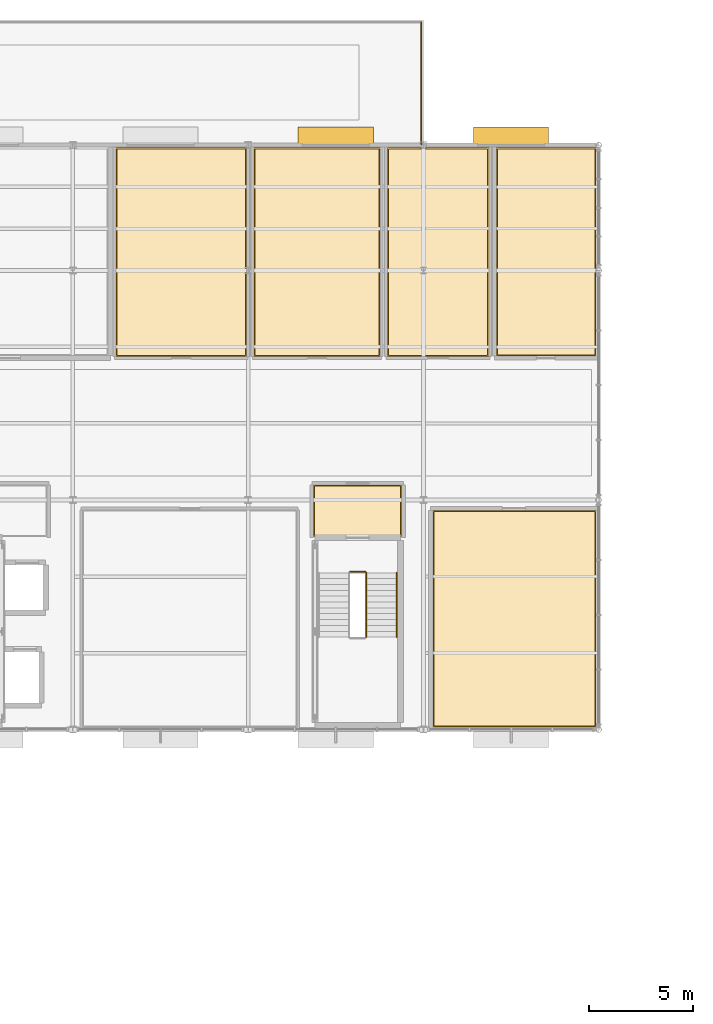
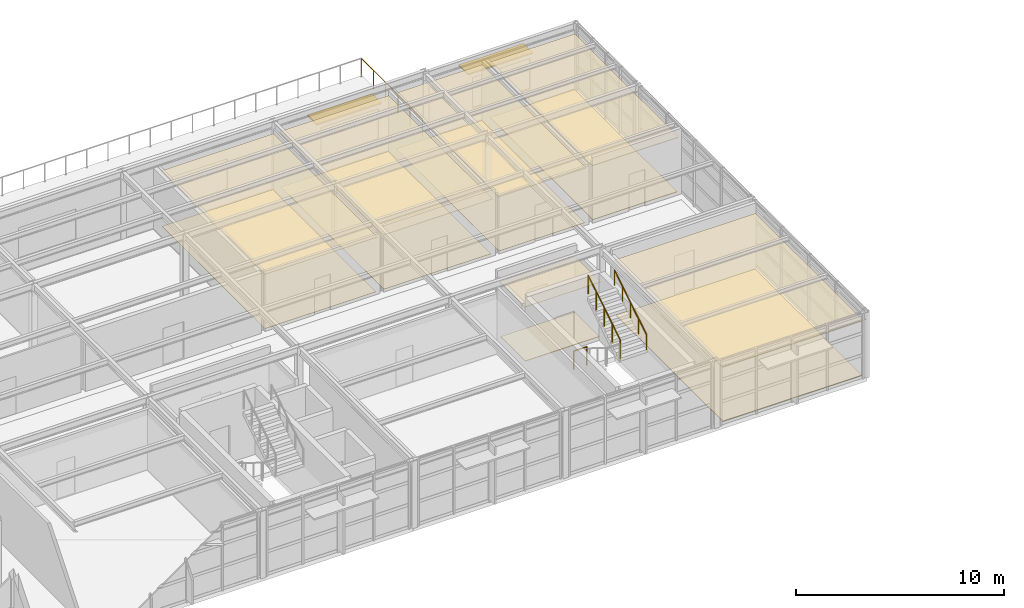
# One storey, part 21 of 21: 12 coverings, 4 railings, 2 shading devices.
"""IFC4 building model written with IfcOpenShell, lengths in metres."""

from ifc_helpers import new_model, si_unit, direction, frame, origin, origin_2d, place, context, subcontext, project, spatial, polyline, rectangle, circle, outline, extrude, material, layer, layer_set, type_object, element, save


model = new_model("IFC4")

# Units and contexts
model_context = context("Model", 3, precision=1e-05, world=origin(), true_north=direction((0.0, 1.0)))
body_context = subcontext(model_context, "Body", "Model", "MODEL_VIEW")
ifc_project = project(units=[si_unit("LENGTHUNIT", "METRE"), si_unit("AREAUNIT", "SQUARE_METRE"), si_unit("VOLUMEUNIT", "CUBIC_METRE"), si_unit("PLANEANGLEUNIT", "RADIAN"), si_unit("MASSUNIT", "GRAM", prefix="KILO")], contexts=[model_context])

# Site, building, storey
site_placement = place(None, origin())
site = spatial("IfcSite", under=ifc_project, at=site_placement, CompositionType="ELEMENT")
building_placement = place(site_placement, origin())
building = spatial("IfcBuilding", under=site, at=building_placement, Name="Sitalva Quay Ferry Terminal", CompositionType="ELEMENT")
storey_placement = place(building_placement, frame((0.0, 0.0, 14.39990234375)))
storey = spatial("IfcBuildingStorey", under=building, at=storey_placement, Name="L04", CompositionType="ELEMENT", Elevation=14.39990234375)

# Coverings
ifc_material_1 = material(Name="Perforated Marine Aluminium Acoustic Ceiling", Category="aluminium")
ifc_layer_1 = layer(ifc_material_1, 0.0400390625)
ifc_layer_set_1 = layer_set([ifc_layer_1], Name="Perforated Marine Aluminium Acoustic Ceiling")
covering_type_1 = type_object("IfcCoveringType", Name="Ceiling_AcousticBaffle_40", PredefinedType="CEILING", material=ifc_layer_set_1)
covering_1_placement = place(storey_placement, frame((0.0, 0.0, 3.210205078125)))
element("IfcCovering", 1, at=covering_1_placement, inside=storey, type_object=covering_type_1, Name="River Police & Coast Guard Watch Room ceiling", PredefinedType="CEILING", context=body_context, shape_type="SweptSolid", body=[
    extrude(outline(polyline([(118.047607421875, 78.1201171875), (125.8798828125, 78.1201171875), (125.8798828125, 88.50244140625), (118.047607421875, 88.50244140625), (118.047607421875, 78.1201171875)])), origin(), (0.0, 0.0, 1.0), 0.039794921875),
])
covering_2_placement = place(storey_placement, frame((0.0, 0.0, 3.210205078125)))
element("IfcCovering", 2, at=covering_2_placement, inside=storey, type_object=covering_type_1, Name="Navigation Beacon & Spare Parts Store ceiling", PredefinedType="CEILING", context=body_context, shape_type="SweptSolid", body=[
    extrude(outline(polyline([(121.090087890625, 95.889892578125), (125.8798828125, 95.889892578125), (125.8798828125, 105.8798828125), (121.090087890625, 105.8798828125), (121.090087890625, 95.889892578125)])), origin(), (0.0, 0.0, 1.0), 0.039794921875),
])
ifc_material_2 = material(Name="Moisture-Resistant Acoustic Gypsum Ceiling", Category="gypsum")
ifc_layer_2 = layer(ifc_material_2, 0.02490234375)
ifc_layer_set_2 = layer_set([ifc_layer_2], Name="Moisture-Resistant Acoustic Gypsum Ceiling")
covering_type_2 = type_object("IfcCoveringType", Name="Ceiling_GypsumMoisture_25", PredefinedType="CEILING", material=ifc_layer_set_2)
covering_3_placement = place(storey_placement, frame((0.0, 0.0, 3.22509765625)))
element("IfcCovering", 3, at=covering_3_placement, inside=storey, type_object=covering_type_2, Name="Firefighting & Lift Lobby C4 ceiling", PredefinedType="CEILING", context=body_context, shape_type="SweptSolid", body=[
    extrude(outline(polyline([(112.340087890625, 87.239990234375), (116.56005859375, 87.239990234375), (116.56005859375, 89.7099609375), (112.340087890625, 89.7099609375), (112.340087890625, 87.239990234375)])), origin(), (0.0, 0.0, 1.0), 0.02490234375),
])
covering_4_placement = place(storey_placement, frame((0.0, 0.0, 3.22509765625)))
element("IfcCovering", 4, at=covering_4_placement, inside=storey, type_object=covering_type_2, Name="L04 Male Toilets & Showers ceiling", PredefinedType="CEILING", context=body_context, shape_type="SweptSolid", body=[
    extrude(outline(polyline([(102.8701171875, 95.8701171875), (109.1298828125, 95.8701171875), (109.1298828125, 105.8798828125), (102.8701171875, 105.8798828125), (102.8701171875, 95.8701171875)])), origin(), (0.0, 0.0, 1.0), 0.02490234375),
])
covering_5_placement = place(storey_placement, frame((0.0, 0.0, 3.22509765625)))
element("IfcCovering", 5, at=covering_5_placement, inside=storey, type_object=covering_type_2, Name="L04 Female Toilets & Showers ceiling", PredefinedType="CEILING", context=body_context, shape_type="SweptSolid", body=[
    extrude(outline(polyline([(109.469970703125, 95.8701171875), (115.530029296875, 95.8701171875), (115.530029296875, 105.8798828125), (109.469970703125, 105.8798828125), (109.469970703125, 95.8701171875)])), origin(), (0.0, 0.0, 1.0), 0.02490234375),
])
covering_6_placement = place(storey_placement, frame((0.0, 0.0, 3.22509765625)))
element("IfcCovering", 6, at=covering_6_placement, inside=storey, type_object=covering_type_2, Name="L04 Accessible WC ceiling", PredefinedType="CEILING", context=body_context, shape_type="SweptSolid", body=[
    extrude(outline(polyline([(115.8701171875, 95.8701171875), (120.72998046875, 95.8701171875), (120.72998046875, 105.8798828125), (115.8701171875, 105.8798828125), (115.8701171875, 95.8701171875)])), origin(), (0.0, 0.0, 1.0), 0.02490234375),
])
ifc_material_3 = material(Name="Anti-Slip Porcelain Tile", Category="ceramic")
ifc_layer_3 = layer(ifc_material_3, 0.02001953125)
ifc_layer_set_3 = layer_set([ifc_layer_3], Name="Anti-Slip Porcelain Tile")
covering_type_3 = type_object("IfcCoveringType", Name="Finish_CeramicWet_20", PredefinedType="FLOORING", material=ifc_layer_set_3)
covering_7_placement = place(storey_placement, origin())
element("IfcCovering", 7, at=covering_7_placement, inside=storey, type_object=covering_type_3, Name="L04 Male Toilets & Showers floor finish", PredefinedType="FLOORING", context=body_context, shape_type="SweptSolid", body=[
    extrude(outline(polyline([(102.919921875, 95.919921875), (109.080078125, 95.919921875), (109.080078125, 105.830078125), (102.919921875, 105.830078125), (102.919921875, 95.919921875)])), origin(), (0.0, 0.0, 1.0), 0.02001953125),
])
covering_8_placement = place(storey_placement, origin())
element("IfcCovering", 8, at=covering_8_placement, inside=storey, type_object=covering_type_3, Name="L04 Female Toilets & Showers floor finish", PredefinedType="FLOORING", context=body_context, shape_type="SweptSolid", body=[
    extrude(outline(polyline([(109.52001953125, 95.919921875), (115.47998046875, 95.919921875), (115.47998046875, 105.830078125), (109.52001953125, 105.830078125), (109.52001953125, 95.919921875)])), origin(), (0.0, 0.0, 1.0), 0.02001953125),
])
covering_9_placement = place(storey_placement, origin())
element("IfcCovering", 9, at=covering_9_placement, inside=storey, type_object=covering_type_3, Name="L04 Accessible WC floor finish", PredefinedType="FLOORING", context=body_context, shape_type="SweptSolid", body=[
    extrude(outline(polyline([(115.919921875, 95.919921875), (120.679931640625, 95.919921875), (120.679931640625, 105.830078125), (115.919921875, 105.830078125), (115.919921875, 95.919921875)])), origin(), (0.0, 0.0, 1.0), 0.02001953125),
])
ifc_material_4 = material(Name="Flamed Non-Slip Granite Paving", Category="masonry")
ifc_layer_4 = layer(ifc_material_4, 0.034912109375)
ifc_layer_set_4 = layer_set([ifc_layer_4], Name="Flamed Non-Slip Granite Paving")
covering_type_4 = type_object("IfcCoveringType", Name="Finish_Granite_35", PredefinedType="FLOORING", material=ifc_layer_set_4)
covering_10_placement = place(storey_placement, origin())
element("IfcCovering", 10, at=covering_10_placement, inside=storey, type_object=covering_type_4, Name="Firefighting & Lift Lobby C4 floor finish", PredefinedType="FLOORING", context=body_context, shape_type="SweptSolid", body=[
    extrude(outline(polyline([(112.389892578125, 87.2900390625), (116.510009765625, 87.2900390625), (116.510009765625, 89.659912109375), (112.389892578125, 89.659912109375), (112.389892578125, 87.2900390625)])), origin(), (0.0, 0.0, 1.0), 0.03515625),
])
ifc_material_5 = material(Name="Polished River-Stone Terrazzo", Category="masonry")
ifc_layer_5 = layer(ifc_material_5, 0.030029296875)
ifc_layer_set_5 = layer_set([ifc_layer_5], Name="Polished River-Stone Terrazzo")
covering_type_5 = type_object("IfcCoveringType", Name="Finish_Terrazzo_30", PredefinedType="FLOORING", material=ifc_layer_set_5)
covering_11_placement = place(storey_placement, origin())
element("IfcCovering", 11, at=covering_11_placement, inside=storey, type_object=covering_type_5, Name="River Police & Coast Guard Watch Room floor finish", PredefinedType="FLOORING", context=body_context, shape_type="SweptSolid", body=[
    extrude(outline(polyline([(118.097412109375, 78.169921875), (125.830078125, 78.169921875), (125.830078125, 88.452392578125), (118.097412109375, 88.452392578125), (118.097412109375, 78.169921875)])), origin(), (0.0, 0.0, 1.0), 0.030029296875),
])
covering_12_placement = place(storey_placement, origin())
element("IfcCovering", 12, at=covering_12_placement, inside=storey, type_object=covering_type_5, Name="Navigation Beacon & Spare Parts Store floor finish", PredefinedType="FLOORING", context=body_context, shape_type="SweptSolid", body=[
    extrude(outline(polyline([(121.139892578125, 95.93994140625), (125.830078125, 95.93994140625), (125.830078125, 105.830078125), (121.139892578125, 105.830078125), (121.139892578125, 95.93994140625)])), origin(), (0.0, 0.0, 1.0), 0.030029296875),
])

# Railings
ifc_material_6 = material(Name="Stainless Steel 316L & Laminated Glass", Category="steel")
railing_type_1 = type_object("IfcRailingType", Name="Railing_Balustrade_1120", PredefinedType="BALUSTRADE", material=ifc_material_6)
railing_1_placement = place(storey_placement, frame((117.5, 111.89990234375, 0.0)))
element("IfcRailing", 13, at=railing_1_placement, inside=storey, type_object=railing_type_1, Name="L04 L04 north roof garden balustrade 044", PredefinedType="BALUSTRADE", context=body_context, shape_type="SweptSolid", body=[
    extrude(circle(Radius=0.02392578125, at=origin_2d()), frame((0.0, 0.0, 1.09619140625), z_axis=(0.0, -1.0, 0.0), x_axis=(1.0, 0.0, 0.0)), (0.0, 0.0, 1.0), 5.849853515625),
    extrude(circle(Radius=0.02099609375, at=origin_2d()), origin(), (0.0, 0.0, 1.0), 1.072021484375),
    extrude(circle(Radius=0.02099609375, at=origin_2d()), frame((0.0, -1.169921875, 0.0)), (0.0, 0.0, 1.0), 1.072021484375),
    extrude(circle(Radius=0.02099609375, at=origin_2d()), frame((0.0, -2.33984375, 0.0)), (0.0, 0.0, 1.0), 1.072021484375),
    extrude(circle(Radius=0.02099609375, at=origin_2d()), frame((0.0, -3.510009765625, 0.0)), (0.0, 0.0, 1.0), 1.072021484375),
    extrude(circle(Radius=0.02099609375, at=origin_2d()), frame((0.0, -4.679931640625, 0.0)), (0.0, 0.0, 1.0), 1.072021484375),
    extrude(circle(Radius=0.02099609375, at=origin_2d()), frame((0.0, -5.849853515625, 0.0)), (0.0, 0.0, 1.0), 1.072021484375),
])
ifc_material_7 = material(Name="Galvanised Steel S275JR", Category="steel")
railing_type_2 = type_object("IfcRailingType", Name="Railing_Guard_1100", PredefinedType="GUARDRAIL", material=ifc_material_7)
railing_2_placement = place(storey_placement, frame((114.860107421875, 82.429931640625, 2.275146484375)))
element("IfcRailing", 14, at=railing_2_placement, inside=storey, type_object=railing_type_2, Name="L04 ST-04 stair guard 3", PredefinedType="GUARDRAIL", context=body_context, shape_type="SweptSolid", body=[
    extrude(circle(Radius=0.02392578125, at=origin_2d()), frame((0.0, 0.0, 1.076171875), z_axis=(0.0, 0.847998304005, 0.529998940003), x_axis=(-1.0, 0.0, 0.0)), (0.0, 0.0, 1.0), 3.632080078125),
    extrude(circle(Radius=0.02099609375, at=origin_2d()), origin(), (0.0, 0.0, 1.0), 1.052001953125),
    extrude(circle(Radius=0.02099609375, at=origin_2d()), frame((0.0, 0.77001953125, 0.481201171875)), (0.0, 0.0, 1.0), 1.052001953125),
    extrude(circle(Radius=0.02099609375, at=origin_2d()), frame((0.0, 1.5400390625, 0.96240234375)), (0.0, 0.0, 1.0), 1.052001953125),
    extrude(circle(Radius=0.02099609375, at=origin_2d()), frame((0.0, 2.31005859375, 1.44384765625)), (0.0, 0.0, 1.0), 1.052001953125),
    extrude(circle(Radius=0.02099609375, at=origin_2d()), frame((0.0, 3.080078125, 1.925048828125)), (0.0, 0.0, 1.0), 1.052001953125),
])
railing_3_placement = place(storey_placement, frame((114.090087890625, 85.56005859375, 0.0)))
element("IfcRailing", 15, at=railing_3_placement, inside=storey, type_object=railing_type_2, Name="L04 ST-04 stair guard 4", PredefinedType="GUARDRAIL", context=body_context, shape_type="SweptSolid", body=[
    extrude(circle(Radius=0.02392578125, at=origin_2d()), frame((0.0, 0.0, 1.076171875), z_axis=(1.0, 0.0, 0.0), x_axis=(0.0, 1.0, 0.0)), (0.0, 0.0, 1.0), 0.719970703125),
    extrude(circle(Radius=0.02099609375, at=origin_2d()), origin(), (0.0, 0.0, 1.0), 1.052001953125),
    extrude(circle(Radius=0.02099609375, at=origin_2d()), frame((0.719970703125, 0.0, 0.0)), (0.0, 0.0, 1.0), 1.052001953125),
])
ifc_material_8 = material(Name="Stainless Steel 316L", Category="steel")
railing_type_3 = type_object("IfcRailingType", Name="Railing_Handrail_900", PredefinedType="HANDRAIL", material=ifc_material_8)
railing_4_placement = place(storey_placement, frame((116.320068359375, 82.429931640625, 2.275146484375)))
element("IfcRailing", 16, at=railing_4_placement, inside=storey, type_object=railing_type_3, Name="L04 ST-04 stair handrail 2", PredefinedType="HANDRAIL", context=body_context, shape_type="SweptSolid", body=[
    extrude(circle(Radius=0.02392578125, at=origin_2d()), frame((0.0, 0.0, 0.8759765625), z_axis=(0.0, 0.847998304005, 0.529998940003), x_axis=(-1.0, 0.0, 0.0)), (0.0, 0.0, 1.0), 3.632080078125),
    extrude(circle(Radius=0.02099609375, at=origin_2d()), origin(), (0.0, 0.0, 1.0), 0.851806640625),
    extrude(circle(Radius=0.02099609375, at=origin_2d()), frame((0.0, 0.77001953125, 0.481201171875)), (0.0, 0.0, 1.0), 0.851806640625),
    extrude(circle(Radius=0.02099609375, at=origin_2d()), frame((0.0, 1.5400390625, 0.96240234375)), (0.0, 0.0, 1.0), 0.851806640625),
    extrude(circle(Radius=0.02099609375, at=origin_2d()), frame((0.0, 2.31005859375, 1.44384765625)), (0.0, 0.0, 1.0), 0.851806640625),
    extrude(circle(Radius=0.02099609375, at=origin_2d()), frame((0.0, 3.080078125, 1.925048828125)), (0.0, 0.0, 1.0), 0.851806640625),
])

# Shading devices
ifc_material_9 = material(Name="Anodised Marine Aluminium 6063-T6", Category="aluminium")
shading_device_type = type_object("IfcShadingDeviceType", Name="Shade_HorizontalLouvre_900", PredefinedType="USERDEFINED", material=ifc_material_9)
for number, where, z_axis, x_axis, name in (
    (17, (113.39990234375, 106.419921875, 2.8076171875), (0.0, 0.0, 1.0), (1.0, 0.0, 0.0), "Monsoon sunshade canopy BS-114"),
    (18, (121.800048828125, 106.419921875, 2.8076171875), (0.0, 0.0, 1.0), (1.0, 0.0, 0.0), "Monsoon sunshade canopy BS-117"),
):
    element("IfcShadingDevice", number, at=place(storey_placement, frame(where, z_axis=z_axis, x_axis=x_axis)), inside=storey, type_object=shading_device_type, Name=name, ObjectType="SUNSHADE", PredefinedType="USERDEFINED", context=body_context, shape_type="SweptSolid", body=[
        extrude(rectangle(XDim=3.60009765625, YDim=0.89990234375, at=origin_2d()), origin(), (0.0, 0.0, 1.0), 0.0849609375),
    ])

save(model, "model.ifc")
